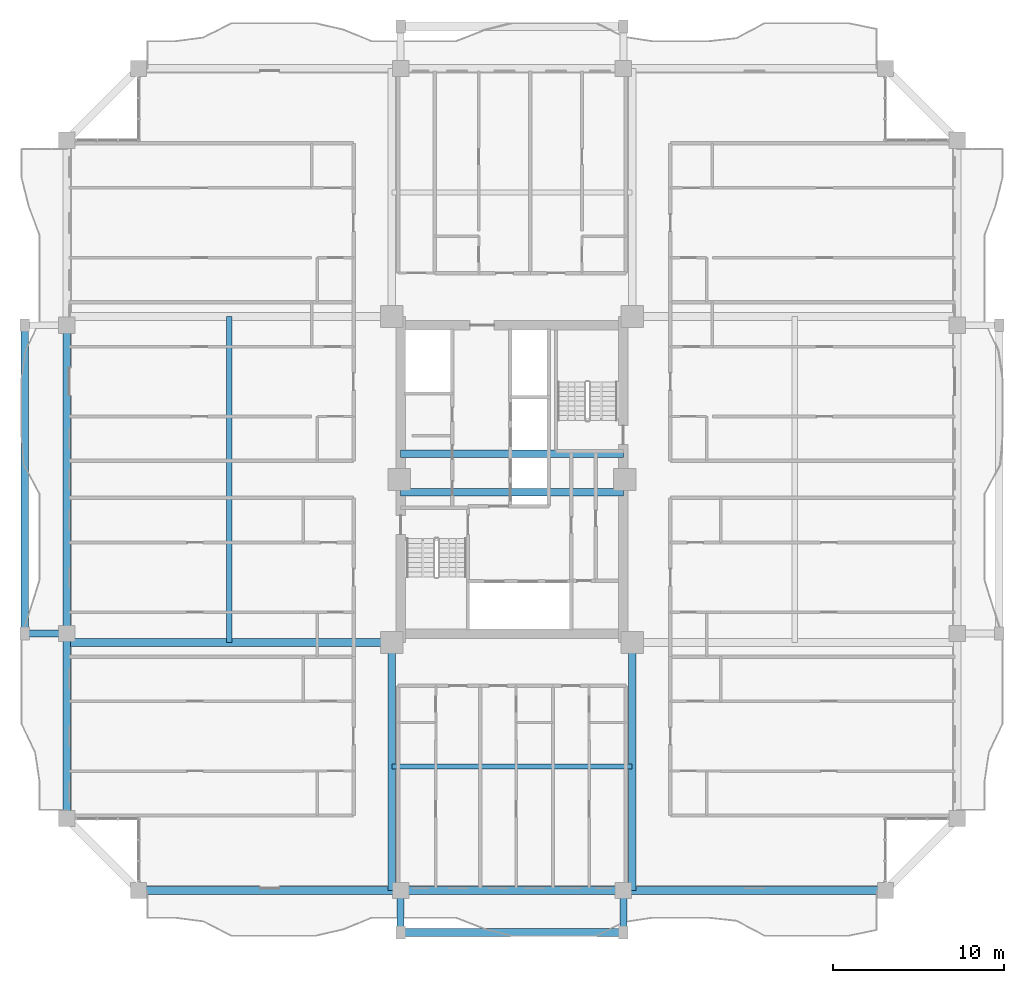
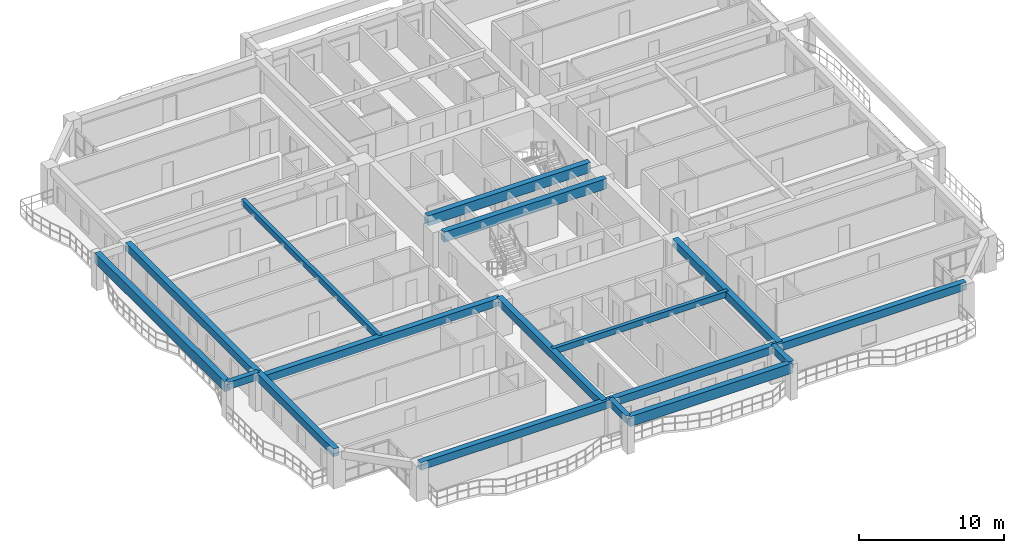
# One storey, part 3 of 25: 17 beams.
"""IFC4 building model written with IfcOpenShell, lengths in metres."""

from ifc_helpers import new_model, si_unit, direction, frame, origin, origin_2d, place, context, subcontext, project, spatial, rectangle, extrude, source, transform, mapped, material, material_profile, profile_set, type_object, element, save


model = new_model("IFC4")

# Units and contexts
model_context = context("Model", 3, precision=1e-05, world=origin(), true_north=direction((0.0, 1.0)))
body_context = subcontext(model_context, "Body", "Model", "MODEL_VIEW")
ifc_project = project(units=[si_unit("LENGTHUNIT", "METRE"), si_unit("AREAUNIT", "SQUARE_METRE"), si_unit("VOLUMEUNIT", "CUBIC_METRE"), si_unit("PLANEANGLEUNIT", "RADIAN"), si_unit("MASSUNIT", "GRAM", prefix="KILO")], contexts=[model_context])

# Site, building, storey
site_placement = place(None, origin())
site = spatial("IfcSite", under=ifc_project, at=site_placement, CompositionType="ELEMENT")
building_placement = place(site_placement, origin())
building = spatial("IfcBuilding", under=site, at=building_placement, Name="Saelheon Loggia Tower", CompositionType="ELEMENT")
storey_placement = place(building_placement, frame((0.0, 0.0, 107.85009765625)))
storey = spatial("IfcBuildingStorey", under=building, at=storey_placement, Name="L34", CompositionType="ELEMENT", Elevation=107.85009765625)

# Beams
ifc_material_1 = material(Name="Concrete C50/60", Category="concrete")
ifc_material_profile_1 = material_profile(ifc_material_1, rectangle(XDim=0.449951171875, YDim=0.85009765625, at=origin_2d()), Name="RC-450x850")
ifc_profile_set_1 = profile_set([ifc_material_profile_1], Name="Concrete C50/60")
beam_type_1 = type_object("IfcBeamType", Name="Beam_CoreLintel_RC450x850", PredefinedType="LINTEL", material=ifc_profile_set_1)
shared_shape_1 = source(origin(), body_context, "Body", "SweptSolid", [
    extrude(rectangle(XDim=0.449951171875, YDim=0.85009765625, at=origin_2d()), origin(), (0.0, 0.0, 1.0), 13.0),
])
for number, where, z_axis, x_axis, name in (
    (1, (31.5, 26.25, 2.574951171875), (1.0, 0.0, 0.0), (0.0, 1.0, 0.0), "L34 Core Coupling Lintel 1"),
    (2, (31.5, 28.5, 2.574951171875), (1.0, 0.0, 0.0), (0.0, 1.0, 0.0), "L34 Core Coupling Lintel 2"),
):
    element("IfcBeam", number, at=place(storey_placement, frame(where, z_axis=z_axis, x_axis=x_axis)), inside=storey, type_object=beam_type_1, Name=name, PredefinedType="LINTEL", context=body_context, shape_type="MappedRepresentation", body=[
        mapped(shared_shape_1, transform((0.0, 0.0, 0.0), scale=1.0)),
    ])
ifc_material_2 = material(Name="Precast Concrete C45/55", Category="concrete")
ifc_material_profile_2 = material_profile(ifc_material_2, rectangle(XDim=0.449951171875, YDim=0.85009765625, at=origin_2d()), Name="RC-450x850")
ifc_profile_set_2 = profile_set([ifc_material_profile_2], Name="Precast Concrete C45/55")
beam_type_2 = type_object("IfcBeamType", Name="Beam_LoggiaSpandrel_RC450x850", PredefinedType="SPANDREL", material=ifc_profile_set_2)
beam_1_placement = place(storey_placement, frame((31.5, 0.550048828125, 2.574951171875), z_axis=(1.0, 0.0, 0.0), x_axis=(0.0, 1.0, 0.0)))
element("IfcBeam", 3, at=beam_1_placement, inside=storey, type_object=beam_type_2, Name="L34 Loggia Spandrel Beam S", PredefinedType="SPANDREL", context=body_context, shape_type="MappedRepresentation", body=[
    mapped(shared_shape_1, transform((0.0, 0.0, 0.0), scale=1.0)),
])
ifc_material_profile_3 = material_profile(ifc_material_2, rectangle(XDim=0.39990234375, YDim=0.60009765625, at=origin_2d()), Name="RC-400x600")
ifc_profile_set_3 = profile_set([ifc_material_profile_3], Name="Precast Concrete C45/55")
beam_type_3 = type_object("IfcBeamType", Name="Beam_LoggiaTie_RC400x600", PredefinedType="BEAM", material=ifc_profile_set_3)
shared_shape_2 = source(origin(), body_context, "Body", "SweptSolid", [
    extrude(rectangle(XDim=0.39990234375, YDim=0.60009765625, at=origin_2d()), origin(), (0.0, 0.0, 1.0), 2.449951171875),
])
for number, where, z_axis, x_axis, name in (
    (4, (31.5, 3.0, 2.699951171875), (0.0, -1.0, 0.0), (1.0, 0.0, 0.0), "L34 Loggia Frame Tie Beam LP-S1"),
    (5, (44.5, 3.0, 2.699951171875), (0.0, -1.0, 0.0), (1.0, 0.0, 0.0), "L34 Loggia Frame Tie Beam LP-S2"),
    (6, (12.0, 18.0, 2.699951171875), (-1.0, 0.0, 0.0), (0.0, -1.0, 0.0), "L34 Loggia Frame Tie Beam LP-W1"),
):
    element("IfcBeam", number, at=place(storey_placement, frame(where, z_axis=z_axis, x_axis=x_axis)), inside=storey, type_object=beam_type_3, Name=name, PredefinedType="BEAM", context=body_context, shape_type="MappedRepresentation", body=[
        mapped(shared_shape_2, transform((0.0, 0.0, 0.0), scale=1.0)),
    ])
shared_shape_3 = source(origin(), body_context, "Body", "SweptSolid", [
    extrude(rectangle(XDim=0.449951171875, YDim=0.85009765625, at=origin_2d()), origin(), (0.0, 0.0, 1.0), 18.0),
])
beam_2_placement = place(storey_placement, frame((9.550048828125, 18.0, 2.574951171875), z_axis=(0.0, 1.0, 0.0), x_axis=(-1.0, 0.0, 0.0)))
element("IfcBeam", 7, at=beam_2_placement, inside=storey, type_object=beam_type_2, Name="L34 Loggia Spandrel Beam W", PredefinedType="SPANDREL", context=body_context, shape_type="MappedRepresentation", body=[
    mapped(shared_shape_3, transform((0.0, 0.0, 0.0), scale=1.0)),
])
ifc_material_3 = material(Name="Concrete C40/50", Category="concrete")
ifc_material_profile_4 = material_profile(ifc_material_3, rectangle(XDim=0.449951171875, YDim=0.64990234375, at=origin_2d()), Name="RC-450x650")
ifc_profile_set_4 = profile_set([ifc_material_profile_4], Name="Concrete C40/50")
beam_type_4 = type_object("IfcBeamType", Name="Beam_PerimTower_RC450x650", PredefinedType="BEAM", material=ifc_profile_set_4)
shared_shape_4 = source(origin(), body_context, "Body", "SweptSolid", [
    extrude(rectangle(XDim=0.449951171875, YDim=0.64990234375, at=origin_2d()), origin(), (0.0, 0.0, 1.0), 15.300048828125),
])
for number, where, z_axis, x_axis, name in (
    (8, (16.199951171875, 3.0, 2.6748046875), (1.0, 0.0, 0.0), (0.0, 1.0, 0.0), "L34 Perimeter Frame Girder 01"),
    (9, (44.5, 3.0, 2.6748046875), (1.0, 0.0, 0.0), (0.0, 1.0, 0.0), "L34 Perimeter Frame Girder 03"),
):
    element("IfcBeam", number, at=place(storey_placement, frame(where, z_axis=z_axis, x_axis=x_axis)), inside=storey, type_object=beam_type_4, Name=name, PredefinedType="BEAM", context=body_context, shape_type="MappedRepresentation", body=[
        mapped(shared_shape_4, transform((0.0, 0.0, 0.0), scale=1.0)),
    ])
shared_shape_5 = source(origin(), body_context, "Body", "SweptSolid", [
    extrude(rectangle(XDim=0.449951171875, YDim=0.64990234375, at=origin_2d()), origin(), (0.0, 0.0, 1.0), 13.0),
])
beam_3_placement = place(storey_placement, frame((31.5, 3.0, 2.6748046875), z_axis=(1.0, 0.0, 0.0), x_axis=(0.0, 1.0, 0.0)))
element("IfcBeam", 10, at=beam_3_placement, inside=storey, type_object=beam_type_4, Name="L34 Perimeter Frame Girder 02", PredefinedType="BEAM", context=body_context, shape_type="MappedRepresentation", body=[
    mapped(shared_shape_5, transform((0.0, 0.0, 0.0), scale=1.0)),
])
shared_shape_6 = source(origin(), body_context, "Body", "SweptSolid", [
    extrude(rectangle(XDim=0.449951171875, YDim=0.64990234375, at=origin_2d()), origin(), (0.0, 0.0, 1.0), 10.800048828125),
])
beam_4_placement = place(storey_placement, frame((12.0, 18.0, 2.6748046875), z_axis=(0.0, -1.0, 0.0), x_axis=(1.0, 0.0, 0.0)))
element("IfcBeam", 11, at=beam_4_placement, inside=storey, type_object=beam_type_4, Name="L34 Perimeter Frame Girder 15", PredefinedType="BEAM", context=body_context, shape_type="MappedRepresentation", body=[
    mapped(shared_shape_6, transform((0.0, 0.0, 0.0), scale=1.0)),
])
shared_shape_7 = source(origin(), body_context, "Body", "SweptSolid", [
    extrude(rectangle(XDim=0.449951171875, YDim=0.64990234375, at=origin_2d()), origin(), (0.0, 0.0, 1.0), 18.0),
])
beam_5_placement = place(storey_placement, frame((12.0, 36.0, 2.6748046875), z_axis=(0.0, -1.0, 0.0), x_axis=(1.0, 0.0, 0.0)))
element("IfcBeam", 12, at=beam_5_placement, inside=storey, type_object=beam_type_4, Name="L34 Perimeter Frame Girder 14", PredefinedType="BEAM", context=body_context, shape_type="MappedRepresentation", body=[
    mapped(shared_shape_7, transform((0.0, 0.0, 0.0), scale=1.0)),
])
ifc_material_profile_5 = material_profile(ifc_material_3, rectangle(XDim=0.449951171875, YDim=0.64990234375, at=origin_2d()), Name="RC-450x650")
ifc_profile_set_5 = profile_set([ifc_material_profile_5], Name="Concrete C40/50")
beam_type_5 = type_object("IfcBeamType", Name="Beam_TowerGirder_RC450x650", PredefinedType="BEAM", material=ifc_profile_set_5)
shared_shape_8 = source(origin(), body_context, "Body", "SweptSolid", [
    extrude(rectangle(XDim=0.449951171875, YDim=0.64990234375, at=origin_2d()), origin(), (0.0, 0.0, 1.0), 14.47998046875),
])
for number, where, z_axis, x_axis, name in (
    (13, (30.97998046875, 17.47998046875, 2.6748046875), (0.0, -1.0, 0.0), (1.0, 0.0, 0.0), "L34 Radial Floor Girder RAD-SW-S"),
    (14, (45.02001953125, 17.47998046875, 2.6748046875), (0.0, -1.0, 0.0), (1.0, 0.0, 0.0), "L34 Radial Floor Girder RAD-SE-S"),
):
    element("IfcBeam", number, at=place(storey_placement, frame(where, z_axis=z_axis, x_axis=x_axis)), inside=storey, type_object=beam_type_5, Name=name, PredefinedType="BEAM", context=body_context, shape_type="MappedRepresentation", body=[
        mapped(shared_shape_8, transform((0.0, 0.0, 0.0), scale=1.0)),
    ])
shared_shape_9 = source(origin(), body_context, "Body", "SweptSolid", [
    extrude(rectangle(XDim=0.449951171875, YDim=0.64990234375, at=origin_2d()), origin(), (0.0, 0.0, 1.0), 18.97998046875),
])
beam_6_placement = place(storey_placement, frame((30.97998046875, 17.47998046875, 2.6748046875), z_axis=(-1.0, 0.0, 0.0), x_axis=(0.0, -1.0, 0.0)))
element("IfcBeam", 15, at=beam_6_placement, inside=storey, type_object=beam_type_5, Name="L34 Radial Floor Girder RAD-SW-W", PredefinedType="BEAM", context=body_context, shape_type="MappedRepresentation", body=[
    mapped(shared_shape_9, transform((0.0, 0.0, 0.0), scale=1.0)),
])
ifc_material_profile_6 = material_profile(ifc_material_3, rectangle(XDim=0.300048828125, YDim=0.5, at=origin_2d()), Name="RC-300x500")
ifc_profile_set_6 = profile_set([ifc_material_profile_6], Name="Concrete C40/50")
beam_type_6 = type_object("IfcBeamType", Name="Beam_Joist_RC300x500", PredefinedType="JOIST", material=ifc_profile_set_6)
shared_shape_10 = source(origin(), body_context, "Body", "SweptSolid", [
    extrude(rectangle(XDim=0.300048828125, YDim=0.5, at=origin_2d()), origin(), (0.0, 0.0, 1.0), 14.0400390625),
])
beam_7_placement = place(storey_placement, frame((30.97998046875, 10.239990234375, 2.75), z_axis=(1.0, 0.0, 0.0), x_axis=(0.0, 1.0, 0.0)))
element("IfcBeam", 16, at=beam_7_placement, inside=storey, type_object=beam_type_6, Name="L34 South Floor Joist", PredefinedType="JOIST", context=body_context, shape_type="MappedRepresentation", body=[
    mapped(shared_shape_10, transform((0.0, 0.0, 0.0), scale=1.0)),
])
shared_shape_11 = source(origin(), body_context, "Body", "SweptSolid", [
    extrude(rectangle(XDim=0.300048828125, YDim=0.5, at=origin_2d()), origin(), (0.0, 0.0, 1.0), 19.0400390625),
])
beam_8_placement = place(storey_placement, frame((21.489990234375, 17.47998046875, 2.75), z_axis=(0.0, 1.0, 0.0), x_axis=(-1.0, 0.0, 0.0)))
element("IfcBeam", 17, at=beam_8_placement, inside=storey, type_object=beam_type_6, Name="L34 West Floor Joist", PredefinedType="JOIST", context=body_context, shape_type="MappedRepresentation", body=[
    mapped(shared_shape_11, transform((0.0, 0.0, 0.0), scale=1.0)),
])

save(model, "model.ifc")
